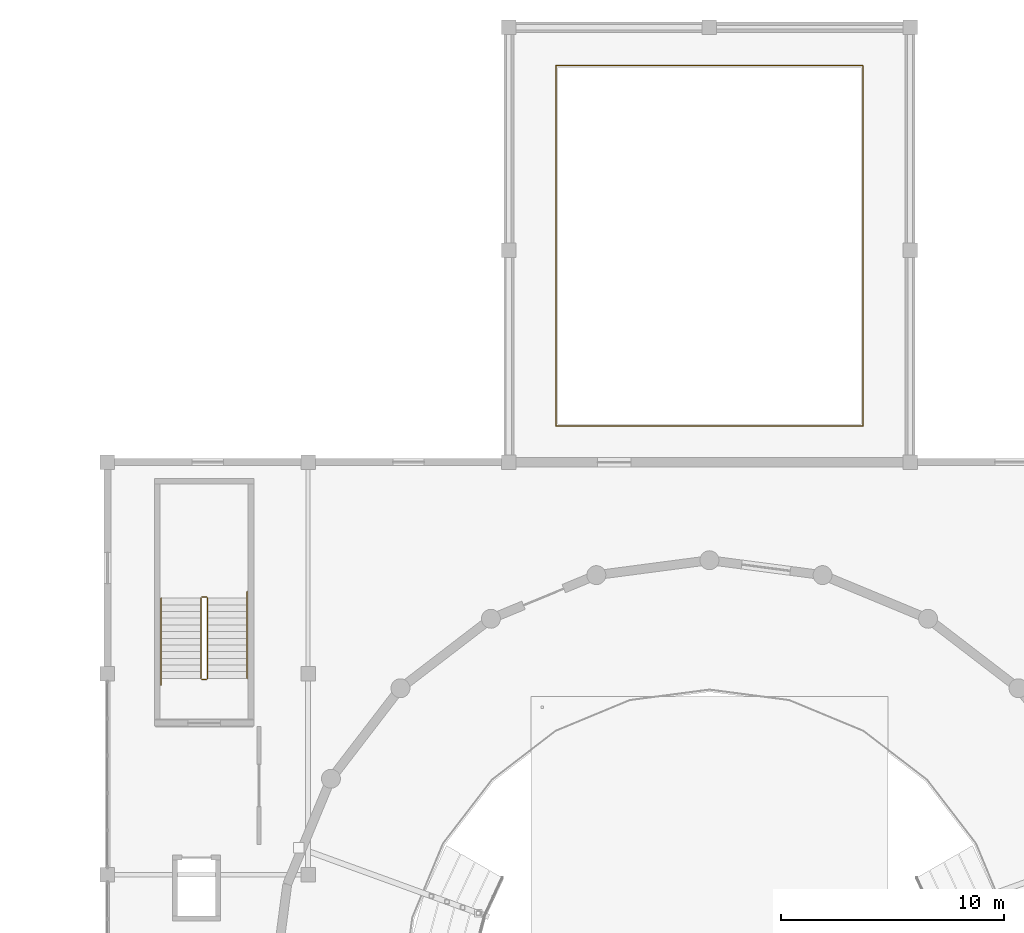
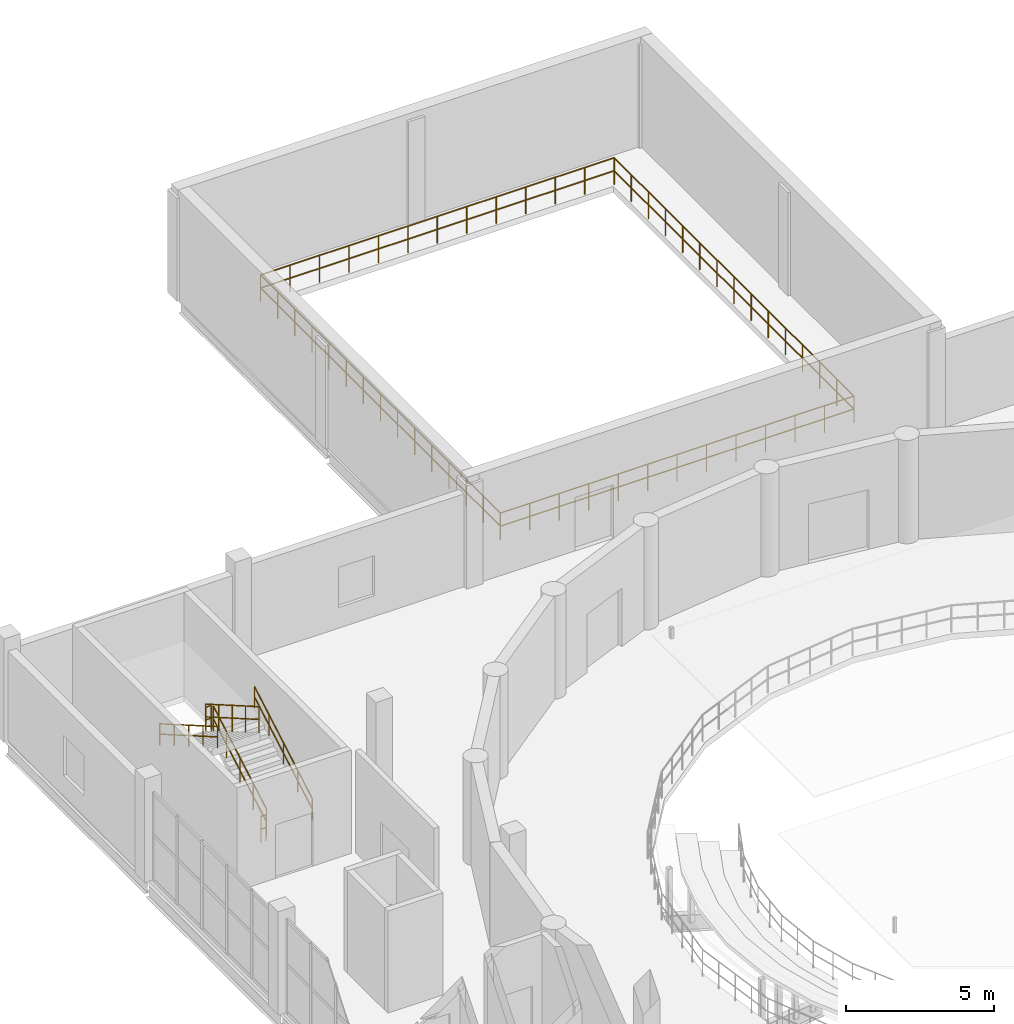
# One storey, part 52 of 54: 7 railings.
"""IFC4 building model written with IfcOpenShell, lengths in metres."""

from ifc_helpers import new_model, si_unit, direction, frame, origin, origin_2d, place, context, subcontext, project, spatial, circle, extrude, material, type_object, element, save


model = new_model("IFC4")

# Units and contexts
model_context = context("Model", 3, precision=1e-05, world=origin(), true_north=direction((0.0, 1.0)))
body_context = subcontext(model_context, "Body", "Model", "MODEL_VIEW")
ifc_project = project(units=[si_unit("LENGTHUNIT", "METRE"), si_unit("AREAUNIT", "SQUARE_METRE"), si_unit("VOLUMEUNIT", "CUBIC_METRE"), si_unit("PLANEANGLEUNIT", "RADIAN"), si_unit("MASSUNIT", "GRAM", prefix="KILO")], contexts=[model_context])

# Site, building, storey
site_placement = place(None, origin())
site = spatial("IfcSite", under=ifc_project, at=site_placement, CompositionType="ELEMENT")
building_placement = place(site_placement, origin())
building = spatial("IfcBuilding", under=site, at=building_placement, Name="Marnock Terrace Opera House", CompositionType="ELEMENT")
storey_placement = place(building_placement, frame((0.0, 0.0, 19.199951171875)))
storey = spatial("IfcBuildingStorey", under=building, at=storey_placement, Name="L04", CompositionType="ELEMENT", Elevation=19.199951171875)

# Railings
ifc_material = material(Name="Architectural bronze balustrade")
railing_type_1 = type_object("IfcRailingType", Name="RL-ATRIUM-1120", PredefinedType="BALUSTRADE", material=ifc_material)
railing_1_placement = place(storey_placement, frame((75.1201171875, 86.1201171875, 0.0)))
element("IfcRailing", 1, at=railing_1_placement, inside=storey, type_object=railing_type_1, Name="L04 floor opening balustrade FLY-VOID", PredefinedType="BALUSTRADE", context=body_context, shape_type="SweptSolid", body=[
    extrude(circle(Radius=0.02392578125, at=origin_2d()), frame((0.0, 0.0, 1.09619140625), z_axis=(1.0, 0.0, 0.0), x_axis=(0.0, 1.0, 0.0)), (0.0, 0.0, 1.0), 13.759765625),
    extrude(circle(Radius=0.02392578125, at=origin_2d()), frame((0.0, 0.0, 0.56005859375), z_axis=(1.0, 0.0, 0.0), x_axis=(0.0, 1.0, 0.0)), (0.0, 0.0, 1.0), 13.759765625),
    extrude(circle(Radius=0.02392578125, at=origin_2d()), frame((13.759765625, 0.0, 1.09619140625), z_axis=(0.0, 1.0, 0.0), x_axis=(-1.0, 0.0, 0.0)), (0.0, 0.0, 1.0), 16.159912109375),
    extrude(circle(Radius=0.02392578125, at=origin_2d()), frame((13.759765625, 0.0, 0.56005859375), z_axis=(0.0, 1.0, 0.0), x_axis=(-1.0, 0.0, 0.0)), (0.0, 0.0, 1.0), 16.159912109375),
    extrude(circle(Radius=0.02392578125, at=origin_2d()), frame((13.759765625, 16.159912109375, 1.09619140625), z_axis=(-1.0, 0.0, 0.0), x_axis=(0.0, -1.0, 0.0)), (0.0, 0.0, 1.0), 13.759765625),
    extrude(circle(Radius=0.02392578125, at=origin_2d()), frame((13.759765625, 16.159912109375, 0.56005859375), z_axis=(-1.0, 0.0, 0.0), x_axis=(0.0, -1.0, 0.0)), (0.0, 0.0, 1.0), 13.759765625),
    extrude(circle(Radius=0.02392578125, at=origin_2d()), frame((0.0, 16.159912109375, 1.09619140625), z_axis=(0.0, -1.0, 0.0), x_axis=(1.0, 0.0, 0.0)), (0.0, 0.0, 1.0), 16.159912109375),
    extrude(circle(Radius=0.02392578125, at=origin_2d()), frame((0.0, 16.159912109375, 0.56005859375), z_axis=(0.0, -1.0, 0.0), x_axis=(1.0, 0.0, 0.0)), (0.0, 0.0, 1.0), 16.159912109375),
    extrude(circle(Radius=0.02099609375, at=origin_2d()), origin(), (0.0, 0.0, 1.0), 1.072021484375),
    extrude(circle(Radius=0.02099609375, at=origin_2d()), frame((1.146728515625, 0.0, 0.0)), (0.0, 0.0, 1.0), 1.072021484375),
    extrude(circle(Radius=0.02099609375, at=origin_2d()), frame((2.293212890625, 0.0, 0.0)), (0.0, 0.0, 1.0), 1.072021484375),
    extrude(circle(Radius=0.02099609375, at=origin_2d()), frame((3.43994140625, 0.0, 0.0)), (0.0, 0.0, 1.0), 1.072021484375),
    extrude(circle(Radius=0.02099609375, at=origin_2d()), frame((4.586669921875, 0.0, 0.0)), (0.0, 0.0, 1.0), 1.072021484375),
    extrude(circle(Radius=0.02099609375, at=origin_2d()), frame((5.733154296875, 0.0, 0.0)), (0.0, 0.0, 1.0), 1.072021484375),
    extrude(circle(Radius=0.02099609375, at=origin_2d()), frame((6.8798828125, 0.0, 0.0)), (0.0, 0.0, 1.0), 1.072021484375),
    extrude(circle(Radius=0.02099609375, at=origin_2d()), frame((8.026611328125, 0.0, 0.0)), (0.0, 0.0, 1.0), 1.072021484375),
    extrude(circle(Radius=0.02099609375, at=origin_2d()), frame((9.173095703125, 0.0, 0.0)), (0.0, 0.0, 1.0), 1.072021484375),
    extrude(circle(Radius=0.02099609375, at=origin_2d()), frame((10.31982421875, 0.0, 0.0)), (0.0, 0.0, 1.0), 1.072021484375),
    extrude(circle(Radius=0.02099609375, at=origin_2d()), frame((11.466552734375, 0.0, 0.0)), (0.0, 0.0, 1.0), 1.072021484375),
    extrude(circle(Radius=0.02099609375, at=origin_2d()), frame((12.613037109375, 0.0, 0.0)), (0.0, 0.0, 1.0), 1.072021484375),
    extrude(circle(Radius=0.02099609375, at=origin_2d()), frame((13.759765625, 0.0, 0.0)), (0.0, 0.0, 1.0), 1.072021484375),
    extrude(circle(Radius=0.02099609375, at=origin_2d()), frame((13.759765625, 1.154296875, 0.0)), (0.0, 0.0, 1.0), 1.072021484375),
    extrude(circle(Radius=0.02099609375, at=origin_2d()), frame((13.759765625, 2.30859375, 0.0)), (0.0, 0.0, 1.0), 1.072021484375),
    extrude(circle(Radius=0.02099609375, at=origin_2d()), frame((13.759765625, 3.462890625, 0.0)), (0.0, 0.0, 1.0), 1.072021484375),
    extrude(circle(Radius=0.02099609375, at=origin_2d()), frame((13.759765625, 4.6171875, 0.0)), (0.0, 0.0, 1.0), 1.072021484375),
    extrude(circle(Radius=0.02099609375, at=origin_2d()), frame((13.759765625, 5.771484375, 0.0)), (0.0, 0.0, 1.0), 1.072021484375),
    extrude(circle(Radius=0.02099609375, at=origin_2d()), frame((13.759765625, 6.92578125, 0.0)), (0.0, 0.0, 1.0), 1.072021484375),
    extrude(circle(Radius=0.02099609375, at=origin_2d()), frame((13.759765625, 8.080078125, 0.0)), (0.0, 0.0, 1.0), 1.072021484375),
    extrude(circle(Radius=0.02099609375, at=origin_2d()), frame((13.759765625, 9.234130859375, 0.0)), (0.0, 0.0, 1.0), 1.072021484375),
    extrude(circle(Radius=0.02099609375, at=origin_2d()), frame((13.759765625, 10.388427734375, 0.0)), (0.0, 0.0, 1.0), 1.072021484375),
    extrude(circle(Radius=0.02099609375, at=origin_2d()), frame((13.759765625, 11.542724609375, 0.0)), (0.0, 0.0, 1.0), 1.072021484375),
    extrude(circle(Radius=0.02099609375, at=origin_2d()), frame((13.759765625, 12.697021484375, 0.0)), (0.0, 0.0, 1.0), 1.072021484375),
    extrude(circle(Radius=0.02099609375, at=origin_2d()), frame((13.759765625, 13.851318359375, 0.0)), (0.0, 0.0, 1.0), 1.072021484375),
    extrude(circle(Radius=0.02099609375, at=origin_2d()), frame((13.759765625, 15.005615234375, 0.0)), (0.0, 0.0, 1.0), 1.072021484375),
    extrude(circle(Radius=0.02099609375, at=origin_2d()), frame((13.759765625, 16.159912109375, 0.0)), (0.0, 0.0, 1.0), 1.072021484375),
    extrude(circle(Radius=0.02099609375, at=origin_2d()), frame((12.613037109375, 16.159912109375, 0.0)), (0.0, 0.0, 1.0), 1.072021484375),
    extrude(circle(Radius=0.02099609375, at=origin_2d()), frame((11.466552734375, 16.159912109375, 0.0)), (0.0, 0.0, 1.0), 1.072021484375),
    extrude(circle(Radius=0.02099609375, at=origin_2d()), frame((10.31982421875, 16.159912109375, 0.0)), (0.0, 0.0, 1.0), 1.072021484375),
    extrude(circle(Radius=0.02099609375, at=origin_2d()), frame((9.173095703125, 16.159912109375, 0.0)), (0.0, 0.0, 1.0), 1.072021484375),
    extrude(circle(Radius=0.02099609375, at=origin_2d()), frame((8.026611328125, 16.159912109375, 0.0)), (0.0, 0.0, 1.0), 1.072021484375),
    extrude(circle(Radius=0.02099609375, at=origin_2d()), frame((6.8798828125, 16.159912109375, 0.0)), (0.0, 0.0, 1.0), 1.072021484375),
    extrude(circle(Radius=0.02099609375, at=origin_2d()), frame((5.733154296875, 16.159912109375, 0.0)), (0.0, 0.0, 1.0), 1.072021484375),
    extrude(circle(Radius=0.02099609375, at=origin_2d()), frame((4.586669921875, 16.159912109375, 0.0)), (0.0, 0.0, 1.0), 1.072021484375),
    extrude(circle(Radius=0.02099609375, at=origin_2d()), frame((3.43994140625, 16.159912109375, 0.0)), (0.0, 0.0, 1.0), 1.072021484375),
    extrude(circle(Radius=0.02099609375, at=origin_2d()), frame((2.293212890625, 16.159912109375, 0.0)), (0.0, 0.0, 1.0), 1.072021484375),
    extrude(circle(Radius=0.02099609375, at=origin_2d()), frame((1.146728515625, 16.159912109375, 0.0)), (0.0, 0.0, 1.0), 1.072021484375),
    extrude(circle(Radius=0.02099609375, at=origin_2d()), frame((0.0, 16.159912109375, 0.0)), (0.0, 0.0, 1.0), 1.072021484375),
    extrude(circle(Radius=0.02099609375, at=origin_2d()), frame((0.0, 15.005615234375, 0.0)), (0.0, 0.0, 1.0), 1.072021484375),
    extrude(circle(Radius=0.02099609375, at=origin_2d()), frame((0.0, 13.851318359375, 0.0)), (0.0, 0.0, 1.0), 1.072021484375),
    extrude(circle(Radius=0.02099609375, at=origin_2d()), frame((0.0, 12.697021484375, 0.0)), (0.0, 0.0, 1.0), 1.072021484375),
    extrude(circle(Radius=0.02099609375, at=origin_2d()), frame((0.0, 11.542724609375, 0.0)), (0.0, 0.0, 1.0), 1.072021484375),
    extrude(circle(Radius=0.02099609375, at=origin_2d()), frame((0.0, 10.388427734375, 0.0)), (0.0, 0.0, 1.0), 1.072021484375),
    extrude(circle(Radius=0.02099609375, at=origin_2d()), frame((0.0, 9.234130859375, 0.0)), (0.0, 0.0, 1.0), 1.072021484375),
    extrude(circle(Radius=0.02099609375, at=origin_2d()), frame((0.0, 8.080078125, 0.0)), (0.0, 0.0, 1.0), 1.072021484375),
    extrude(circle(Radius=0.02099609375, at=origin_2d()), frame((0.0, 6.92578125, 0.0)), (0.0, 0.0, 1.0), 1.072021484375),
    extrude(circle(Radius=0.02099609375, at=origin_2d()), frame((0.0, 5.771484375, 0.0)), (0.0, 0.0, 1.0), 1.072021484375),
    extrude(circle(Radius=0.02099609375, at=origin_2d()), frame((0.0, 4.6171875, 0.0)), (0.0, 0.0, 1.0), 1.072021484375),
    extrude(circle(Radius=0.02099609375, at=origin_2d()), frame((0.0, 3.462890625, 0.0)), (0.0, 0.0, 1.0), 1.072021484375),
    extrude(circle(Radius=0.02099609375, at=origin_2d()), frame((0.0, 2.30859375, 0.0)), (0.0, 0.0, 1.0), 1.072021484375),
    extrude(circle(Radius=0.02099609375, at=origin_2d()), frame((0.0, 1.154296875, 0.0)), (0.0, 0.0, 1.0), 1.072021484375),
])
railing_type_2 = type_object("IfcRailingType", Name="RL-GUARD-1100", PredefinedType="GUARDRAIL", material=ifc_material)
railing_2_placement = place(storey_placement, frame((59.489990234375, 74.800048828125, 0.173095703125)))
element("IfcRailing", 2, at=railing_2_placement, inside=storey, type_object=railing_type_2, Name="L04 ST-03 stair guard 1", PredefinedType="GUARDRAIL", context=body_context, shape_type="SweptSolid", body=[
    extrude(circle(Radius=0.02392578125, at=origin_2d()), frame((0.0, 0.0, 1.076171875), z_axis=(0.0, 0.866178740119, 0.499734319579), x_axis=(-1.0, 0.0, 0.0)), (0.0, 0.0, 1.0), 4.156005859375),
    extrude(circle(Radius=0.02392578125, at=origin_2d()), frame((0.0, 0.0, 0.550048828125), z_axis=(0.0, 0.866178740119, 0.499734319579), x_axis=(-1.0, 0.0, 0.0)), (0.0, 0.0, 1.0), 4.156005859375),
    extrude(circle(Radius=0.02099609375, at=origin_2d()), origin(), (0.0, 0.0, 1.0), 1.052001953125),
    extrude(circle(Radius=0.02099609375, at=origin_2d()), frame((0.0, 0.89990234375, 0.519287109375)), (0.0, 0.0, 1.0), 1.052001953125),
    extrude(circle(Radius=0.02099609375, at=origin_2d()), frame((0.0, 1.7998046875, 1.03857421875)), (0.0, 0.0, 1.0), 1.052001953125),
    extrude(circle(Radius=0.02099609375, at=origin_2d()), frame((0.0, 2.699951171875, 1.5576171875)), (0.0, 0.0, 1.0), 1.052001953125),
    extrude(circle(Radius=0.02099609375, at=origin_2d()), frame((0.0, 3.599853515625, 2.076904296875)), (0.0, 0.0, 1.0), 1.052001953125),
])
railing_3_placement = place(storey_placement, frame((59.43994140625, 78.449951171875, 2.25)))
element("IfcRailing", 3, at=railing_3_placement, inside=storey, type_object=railing_type_2, Name="L04 ST-03 stair guard 2", PredefinedType="GUARDRAIL", context=body_context, shape_type="SweptSolid", body=[
    extrude(circle(Radius=0.02392578125, at=origin_2d()), frame((0.0, 0.0, 1.076171875), z_axis=(-1.0, 0.0, 0.0), x_axis=(0.0, -1.0, 0.0)), (0.0, 0.0, 1.0), 0.199951171875),
    extrude(circle(Radius=0.02392578125, at=origin_2d()), frame((0.0, 0.0, 0.550048828125), z_axis=(-1.0, 0.0, 0.0), x_axis=(0.0, -1.0, 0.0)), (0.0, 0.0, 1.0), 0.199951171875),
    extrude(circle(Radius=0.02099609375, at=origin_2d()), origin(), (0.0, 0.0, 1.0), 1.052001953125),
    extrude(circle(Radius=0.02099609375, at=origin_2d()), frame((-0.199951171875, 0.0, 0.0)), (0.0, 0.0, 1.0), 1.052001953125),
])
railing_4_placement = place(storey_placement, frame((59.18994140625, 78.39990234375, 2.423095703125)))
element("IfcRailing", 4, at=railing_4_placement, inside=storey, type_object=railing_type_2, Name="L04 ST-03 stair guard 3", PredefinedType="GUARDRAIL", context=body_context, shape_type="SweptSolid", body=[
    extrude(circle(Radius=0.02392578125, at=origin_2d()), frame((0.0, 0.0, 1.076171875), z_axis=(0.0, -0.866178740119, 0.499734319579), x_axis=(1.0, 0.0, 0.0)), (0.0, 0.0, 1.0), 4.156005859375),
    extrude(circle(Radius=0.02392578125, at=origin_2d()), frame((0.0, 0.0, 0.550048828125), z_axis=(0.0, -0.866178740119, 0.499734319579), x_axis=(1.0, 0.0, 0.0)), (0.0, 0.0, 1.0), 4.156005859375),
    extrude(circle(Radius=0.02099609375, at=origin_2d()), origin(), (0.0, 0.0, 1.0), 1.052001953125),
    extrude(circle(Radius=0.02099609375, at=origin_2d()), frame((0.0, -0.89990234375, 0.519287109375)), (0.0, 0.0, 1.0), 1.052001953125),
    extrude(circle(Radius=0.02099609375, at=origin_2d()), frame((0.0, -1.7998046875, 1.03857421875)), (0.0, 0.0, 1.0), 1.052001953125),
    extrude(circle(Radius=0.02099609375, at=origin_2d()), frame((0.0, -2.699951171875, 1.5576171875)), (0.0, 0.0, 1.0), 1.052001953125),
    extrude(circle(Radius=0.02099609375, at=origin_2d()), frame((0.0, -3.599853515625, 2.076904296875)), (0.0, 0.0, 1.0), 1.052001953125),
])
railing_5_placement = place(storey_placement, frame((59.43994140625, 74.75, 0.0)))
element("IfcRailing", 5, at=railing_5_placement, inside=storey, type_object=railing_type_2, Name="L04 ST-03 stair guard 4", PredefinedType="GUARDRAIL", context=body_context, shape_type="SweptSolid", body=[
    extrude(circle(Radius=0.02392578125, at=origin_2d()), frame((0.0, 0.0, 1.076171875), z_axis=(-1.0, 0.0, 0.0), x_axis=(0.0, -1.0, 0.0)), (0.0, 0.0, 1.0), 0.199951171875),
    extrude(circle(Radius=0.02392578125, at=origin_2d()), frame((0.0, 0.0, 0.550048828125), z_axis=(-1.0, 0.0, 0.0), x_axis=(0.0, -1.0, 0.0)), (0.0, 0.0, 1.0), 0.199951171875),
    extrude(circle(Radius=0.02099609375, at=origin_2d()), origin(), (0.0, 0.0, 1.0), 1.052001953125),
    extrude(circle(Radius=0.02099609375, at=origin_2d()), frame((-0.199951171875, 0.0, 0.0)), (0.0, 0.0, 1.0), 1.052001953125),
])
railing_type_3 = type_object("IfcRailingType", Name="RL-HAND-900", PredefinedType="HANDRAIL", material=ifc_material)
railing_6_placement = place(storey_placement, frame((61.27001953125, 74.800048828125, 0.18505859375)))
element("IfcRailing", 6, at=railing_6_placement, inside=storey, type_object=railing_type_3, Name="L04 ST-03 stair handrail 1", PredefinedType="HANDRAIL", context=body_context, shape_type="SweptSolid", body=[
    extrude(circle(Radius=0.02392578125, at=origin_2d()), frame((0.0, 0.0, 0.8759765625), z_axis=(0.0, 0.866180169578, 0.49973184192), x_axis=(-1.0, 0.0, 0.0)), (0.0, 0.0, 1.0), 4.50244140625),
    extrude(circle(Radius=0.02392578125, at=origin_2d()), frame((0.0, 0.0, 0.449951171875), z_axis=(0.0, 0.866180169578, 0.49973184192), x_axis=(-1.0, 0.0, 0.0)), (0.0, 0.0, 1.0), 4.50244140625),
    extrude(circle(Radius=0.02099609375, at=origin_2d()), origin(), (0.0, 0.0, 1.0), 0.851806640625),
    extrude(circle(Radius=0.02099609375, at=origin_2d()), frame((0.0, 0.97509765625, 0.5625)), (0.0, 0.0, 1.0), 0.851806640625),
    extrude(circle(Radius=0.02099609375, at=origin_2d()), frame((0.0, 1.949951171875, 1.125)), (0.0, 0.0, 1.0), 0.851806640625),
    extrude(circle(Radius=0.02099609375, at=origin_2d()), frame((0.0, 2.9248046875, 1.6875)), (0.0, 0.0, 1.0), 0.851806640625),
    extrude(circle(Radius=0.02099609375, at=origin_2d()), frame((0.0, 3.89990234375, 2.25)), (0.0, 0.0, 1.0), 0.851806640625),
])
railing_7_placement = place(storey_placement, frame((57.409912109375, 78.39990234375, 2.43505859375)))
element("IfcRailing", 7, at=railing_7_placement, inside=storey, type_object=railing_type_3, Name="L04 ST-03 stair handrail 2", PredefinedType="HANDRAIL", context=body_context, shape_type="SweptSolid", body=[
    extrude(circle(Radius=0.02392578125, at=origin_2d()), frame((0.0, 0.0, 0.8759765625), z_axis=(0.0, -0.866180169578, 0.49973184192), x_axis=(1.0, 0.0, 0.0)), (0.0, 0.0, 1.0), 4.50244140625),
    extrude(circle(Radius=0.02392578125, at=origin_2d()), frame((0.0, 0.0, 0.449951171875), z_axis=(0.0, -0.866180169578, 0.49973184192), x_axis=(1.0, 0.0, 0.0)), (0.0, 0.0, 1.0), 4.50244140625),
    extrude(circle(Radius=0.02099609375, at=origin_2d()), origin(), (0.0, 0.0, 1.0), 0.851806640625),
    extrude(circle(Radius=0.02099609375, at=origin_2d()), frame((0.0, -0.97509765625, 0.5625)), (0.0, 0.0, 1.0), 0.851806640625),
    extrude(circle(Radius=0.02099609375, at=origin_2d()), frame((0.0, -1.949951171875, 1.125)), (0.0, 0.0, 1.0), 0.851806640625),
    extrude(circle(Radius=0.02099609375, at=origin_2d()), frame((0.0, -2.9248046875, 1.6875)), (0.0, 0.0, 1.0), 0.851806640625),
    extrude(circle(Radius=0.02099609375, at=origin_2d()), frame((0.0, -3.89990234375, 2.25)), (0.0, 0.0, 1.0), 0.851806640625),
])

save(model, "model.ifc")
